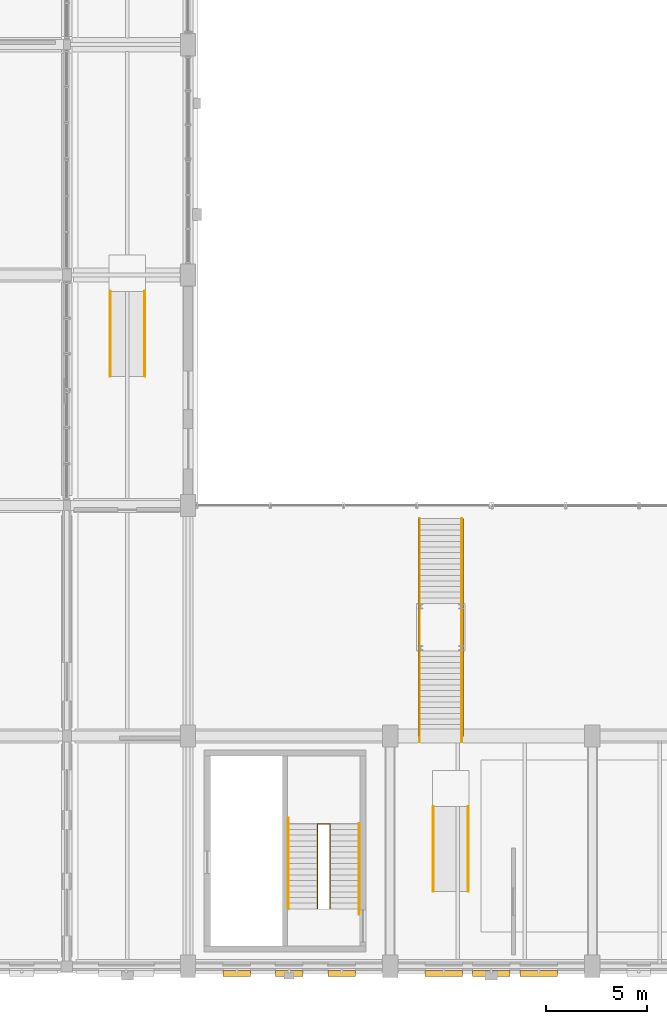
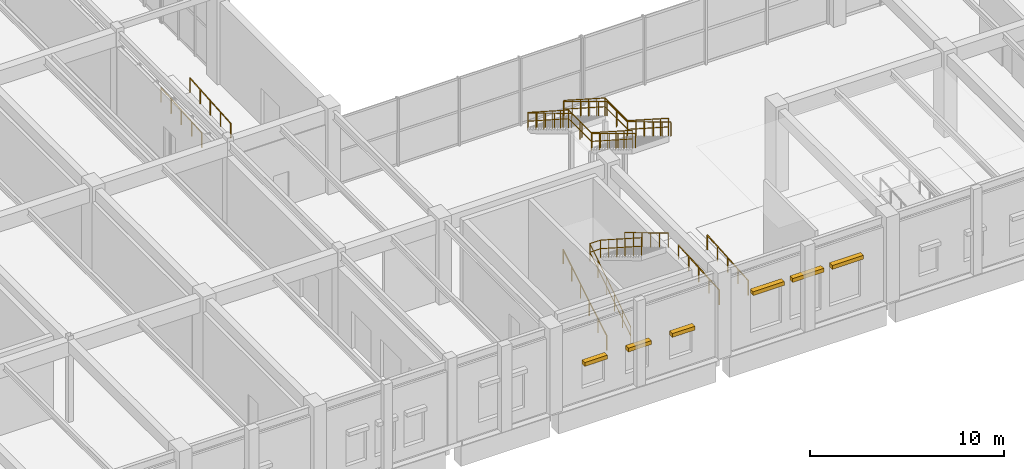
# One storey, part 107 of 113: 11 railings, 6 shading devices.
"""IFC4 building model written with IfcOpenShell, lengths in metres."""

from ifc_helpers import new_model, si_unit, direction, frame, origin, origin_2d, place, context, subcontext, project, spatial, rectangle, circle, extrude, material, layer, layer_set, type_object, element, save


model = new_model("IFC4")

# Units and contexts
model_context = context("Model", 3, precision=1e-05, world=origin(), true_north=direction((0.0, 1.0)))
body_context = subcontext(model_context, "Body", "Model", "MODEL_VIEW")
ifc_project = project(units=[si_unit("LENGTHUNIT", "METRE"), si_unit("AREAUNIT", "SQUARE_METRE"), si_unit("VOLUMEUNIT", "CUBIC_METRE"), si_unit("PLANEANGLEUNIT", "RADIAN"), si_unit("MASSUNIT", "GRAM", prefix="KILO"), si_unit("POWERUNIT", "WATT"), si_unit("THERMODYNAMICTEMPERATUREUNIT", "KELVIN")], contexts=[model_context])

# Site, building, storey
site_placement = place(None, origin())
site = spatial("IfcSite", under=ifc_project, at=site_placement, CompositionType="ELEMENT")
building_placement = place(site_placement, origin())
building = spatial("IfcBuilding", under=site, at=building_placement, Name="Kelmbourne Parkland Aquatics Centre", CompositionType="ELEMENT")
storey_placement = place(building_placement, origin())
storey = spatial("IfcBuildingStorey", under=building, at=storey_placement, Name="L00", CompositionType="ELEMENT", Elevation=0.0)

# Railings
ifc_material_1 = material(Name="Grade 316 stainless steel and laminated glass balustrade", Category="glass")
ifc_layer = layer(ifc_material_1, 0.06005859375)
ifc_layer_set = layer_set([ifc_layer], Name="Grade 316 stainless steel and laminated glass balustrade")
railing_type_1 = type_object("IfcRailingType", Name="RL-BL-114", PredefinedType="BALUSTRADE", material=ifc_layer_set)
railing_1_placement = place(storey_placement, frame((57.419921875, 22.949951171875, 0.0)))
element("IfcRailing", 1, at=railing_1_placement, inside=storey, type_object=railing_type_1, Name="FS01 west balustrade", PredefinedType="BALUSTRADE", context=body_context, shape_type="SweptSolid", body=[
    extrude(circle(Radius=0.02392578125, at=origin_2d()), frame((0.0, 0.0, 1.11572265625), z_axis=(0.0, -0.841180064094, 0.540755119968), x_axis=(1.0, 0.0, 0.0)), (0.0, 0.0, 1.0), 4.992919921875),
    extrude(circle(Radius=0.02392578125, at=origin_2d()), frame((0.0, 0.0, 0.56982421875), z_axis=(0.0, -0.841180064094, 0.540755119968), x_axis=(1.0, 0.0, 0.0)), (0.0, 0.0, 1.0), 4.992919921875),
    extrude(circle(Radius=0.02392578125, at=origin_2d()), frame((0.0, -4.199951171875, 3.81591796875), z_axis=(0.0, -1.0, 0.0), x_axis=(1.0, 0.0, 0.0)), (0.0, 0.0, 1.0), 2.35009765625),
    extrude(circle(Radius=0.02392578125, at=origin_2d()), frame((0.0, -4.199951171875, 3.27001953125), z_axis=(0.0, -1.0, 0.0), x_axis=(1.0, 0.0, 0.0)), (0.0, 0.0, 1.0), 2.35009765625),
    extrude(circle(Radius=0.02392578125, at=origin_2d()), frame((0.0, -6.550048828125, 3.81591796875), z_axis=(0.0, -0.841180064094, 0.540755119968), x_axis=(1.0, 0.0, 0.0)), (0.0, 0.0, 1.0), 4.992919921875),
    extrude(circle(Radius=0.02392578125, at=origin_2d()), frame((0.0, -6.550048828125, 3.27001953125), z_axis=(0.0, -0.841180064094, 0.540755119968), x_axis=(1.0, 0.0, 0.0)), (0.0, 0.0, 1.0), 4.992919921875),
    extrude(circle(Radius=0.02099609375, at=origin_2d()), origin(), (0.0, 0.0, 1.0), 1.091796875),
    extrude(circle(Radius=0.02099609375, at=origin_2d()), frame((0.0, -0.840087890625, 0.5400390625)), (0.0, 0.0, 1.0), 1.091796875),
    extrude(circle(Radius=0.02099609375, at=origin_2d()), frame((0.0, -1.679931640625, 1.080078125)), (0.0, 0.0, 1.0), 1.091796875),
    extrude(circle(Radius=0.02099609375, at=origin_2d()), frame((0.0, -2.52001953125, 1.619873046875)), (0.0, 0.0, 1.0), 1.091796875),
    extrude(circle(Radius=0.02099609375, at=origin_2d()), frame((0.0, -3.35986328125, 2.159912109375)), (0.0, 0.0, 1.0), 1.091796875),
    extrude(circle(Radius=0.02099609375, at=origin_2d()), frame((0.0, -4.199951171875, 2.699951171875)), (0.0, 0.0, 1.0), 1.091796875),
    extrude(circle(Radius=0.02099609375, at=origin_2d()), frame((0.0, -5.375, 2.699951171875)), (0.0, 0.0, 1.0), 1.091796875),
    extrude(circle(Radius=0.02099609375, at=origin_2d()), frame((0.0, -6.550048828125, 2.699951171875)), (0.0, 0.0, 1.0), 1.091796875),
    extrude(circle(Radius=0.02099609375, at=origin_2d()), frame((0.0, -7.39013671875, 3.239990234375)), (0.0, 0.0, 1.0), 1.091796875),
    extrude(circle(Radius=0.02099609375, at=origin_2d()), frame((0.0, -8.22998046875, 3.780029296875)), (0.0, 0.0, 1.0), 1.091796875),
    extrude(circle(Radius=0.02099609375, at=origin_2d()), frame((0.0, -9.070068359375, 4.31982421875)), (0.0, 0.0, 1.0), 1.091796875),
    extrude(circle(Radius=0.02099609375, at=origin_2d()), frame((0.0, -9.909912109375, 4.85986328125)), (0.0, 0.0, 1.0), 1.091796875),
    extrude(circle(Radius=0.02099609375, at=origin_2d()), frame((0.0, -10.75, 5.39990234375)), (0.0, 0.0, 1.0), 1.091796875),
])
railing_2_placement = place(storey_placement, frame((59.580078125, 22.949951171875, 0.0)))
element("IfcRailing", 2, at=railing_2_placement, inside=storey, type_object=railing_type_1, Name="FS01 east balustrade", PredefinedType="BALUSTRADE", context=body_context, shape_type="SweptSolid", body=[
    extrude(circle(Radius=0.02392578125, at=origin_2d()), frame((0.0, 0.0, 1.11572265625), z_axis=(0.0, -0.841180064094, 0.540755119968), x_axis=(1.0, 0.0, 0.0)), (0.0, 0.0, 1.0), 4.992919921875),
    extrude(circle(Radius=0.02392578125, at=origin_2d()), frame((0.0, 0.0, 0.56982421875), z_axis=(0.0, -0.841180064094, 0.540755119968), x_axis=(1.0, 0.0, 0.0)), (0.0, 0.0, 1.0), 4.992919921875),
    extrude(circle(Radius=0.02392578125, at=origin_2d()), frame((0.0, -4.199951171875, 3.81591796875), z_axis=(0.0, -1.0, 0.0), x_axis=(1.0, 0.0, 0.0)), (0.0, 0.0, 1.0), 2.35009765625),
    extrude(circle(Radius=0.02392578125, at=origin_2d()), frame((0.0, -4.199951171875, 3.27001953125), z_axis=(0.0, -1.0, 0.0), x_axis=(1.0, 0.0, 0.0)), (0.0, 0.0, 1.0), 2.35009765625),
    extrude(circle(Radius=0.02392578125, at=origin_2d()), frame((0.0, -6.550048828125, 3.81591796875), z_axis=(0.0, -0.841180064094, 0.540755119968), x_axis=(1.0, 0.0, 0.0)), (0.0, 0.0, 1.0), 4.992919921875),
    extrude(circle(Radius=0.02392578125, at=origin_2d()), frame((0.0, -6.550048828125, 3.27001953125), z_axis=(0.0, -0.841180064094, 0.540755119968), x_axis=(1.0, 0.0, 0.0)), (0.0, 0.0, 1.0), 4.992919921875),
    extrude(circle(Radius=0.02099609375, at=origin_2d()), origin(), (0.0, 0.0, 1.0), 1.091796875),
    extrude(circle(Radius=0.02099609375, at=origin_2d()), frame((0.0, -0.840087890625, 0.5400390625)), (0.0, 0.0, 1.0), 1.091796875),
    extrude(circle(Radius=0.02099609375, at=origin_2d()), frame((0.0, -1.679931640625, 1.080078125)), (0.0, 0.0, 1.0), 1.091796875),
    extrude(circle(Radius=0.02099609375, at=origin_2d()), frame((0.0, -2.52001953125, 1.619873046875)), (0.0, 0.0, 1.0), 1.091796875),
    extrude(circle(Radius=0.02099609375, at=origin_2d()), frame((0.0, -3.35986328125, 2.159912109375)), (0.0, 0.0, 1.0), 1.091796875),
    extrude(circle(Radius=0.02099609375, at=origin_2d()), frame((0.0, -4.199951171875, 2.699951171875)), (0.0, 0.0, 1.0), 1.091796875),
    extrude(circle(Radius=0.02099609375, at=origin_2d()), frame((0.0, -5.375, 2.699951171875)), (0.0, 0.0, 1.0), 1.091796875),
    extrude(circle(Radius=0.02099609375, at=origin_2d()), frame((0.0, -6.550048828125, 2.699951171875)), (0.0, 0.0, 1.0), 1.091796875),
    extrude(circle(Radius=0.02099609375, at=origin_2d()), frame((0.0, -7.39013671875, 3.239990234375)), (0.0, 0.0, 1.0), 1.091796875),
    extrude(circle(Radius=0.02099609375, at=origin_2d()), frame((0.0, -8.22998046875, 3.780029296875)), (0.0, 0.0, 1.0), 1.091796875),
    extrude(circle(Radius=0.02099609375, at=origin_2d()), frame((0.0, -9.070068359375, 4.31982421875)), (0.0, 0.0, 1.0), 1.091796875),
    extrude(circle(Radius=0.02099609375, at=origin_2d()), frame((0.0, -9.909912109375, 4.85986328125)), (0.0, 0.0, 1.0), 1.091796875),
    extrude(circle(Radius=0.02099609375, at=origin_2d()), frame((0.0, -10.75, 5.39990234375)), (0.0, 0.0, 1.0), 1.091796875),
])
ifc_material_2 = material(Name="Grade 316 marine stainless steel", Category="steel")
railing_type_2 = type_object("IfcRailingType", Name="RL-GD-112", PredefinedType="GUARDRAIL", material=ifc_material_2)
railing_3_placement = place(storey_placement, frame((52.39501953125, 3.64990234375, 0.0)))
element("IfcRailing", 3, at=railing_3_placement, inside=storey, type_object=railing_type_2, Name="South Entrance Foyer Gallery Core Stair ST03 well guardrail", PredefinedType="GUARDRAIL", context=body_context, shape_type="SweptSolid", body=[
    extrude(circle(Radius=0.02392578125, at=origin_2d()), frame((0.0, 0.0, 1.09619140625), z_axis=(0.0, 0.841194361566, 0.540732878665), x_axis=(-1.0, 0.0, 0.0)), (0.0, 0.0, 1.0), 4.9931640625),
    extrude(circle(Radius=0.02392578125, at=origin_2d()), frame((0.0, 0.0, 0.56005859375), z_axis=(0.0, 0.841194361566, 0.540732878665), x_axis=(-1.0, 0.0, 0.0)), (0.0, 0.0, 1.0), 4.9931640625),
    extrude(circle(Radius=0.02392578125, at=origin_2d()), frame((0.0, 4.2001953125, 3.7958984375), z_axis=(1.0, 0.0, 0.0), x_axis=(0.0, 1.0, 0.0)), (0.0, 0.0, 1.0), 0.635009765625),
    extrude(circle(Radius=0.02392578125, at=origin_2d()), frame((0.0, 4.2001953125, 3.260009765625), z_axis=(1.0, 0.0, 0.0), x_axis=(0.0, 1.0, 0.0)), (0.0, 0.0, 1.0), 0.635009765625),
    extrude(circle(Radius=0.02392578125, at=origin_2d()), frame((0.635009765625, 4.2001953125, 3.7958984375), z_axis=(0.0, -0.841194361566, 0.540732878665), x_axis=(1.0, 0.0, 0.0)), (0.0, 0.0, 1.0), 4.9931640625),
    extrude(circle(Radius=0.02392578125, at=origin_2d()), frame((0.635009765625, 4.2001953125, 3.260009765625), z_axis=(0.0, -0.841194361566, 0.540732878665), x_axis=(1.0, 0.0, 0.0)), (0.0, 0.0, 1.0), 4.9931640625),
    extrude(circle(Radius=0.02099609375, at=origin_2d()), origin(), (0.0, 0.0, 1.0), 1.072021484375),
    extrude(circle(Radius=0.02099609375, at=origin_2d()), frame((0.0, 0.840087890625, 0.5400390625)), (0.0, 0.0, 1.0), 1.072021484375),
    extrude(circle(Radius=0.02099609375, at=origin_2d()), frame((0.0, 1.68017578125, 1.080078125)), (0.0, 0.0, 1.0), 1.072021484375),
    extrude(circle(Radius=0.02099609375, at=origin_2d()), frame((0.0, 2.52001953125, 1.619873046875)), (0.0, 0.0, 1.0), 1.072021484375),
    extrude(circle(Radius=0.02099609375, at=origin_2d()), frame((0.0, 3.360107421875, 2.159912109375)), (0.0, 0.0, 1.0), 1.072021484375),
    extrude(circle(Radius=0.02099609375, at=origin_2d()), frame((0.0, 4.2001953125, 2.699951171875)), (0.0, 0.0, 1.0), 1.072021484375),
    extrude(circle(Radius=0.02099609375, at=origin_2d()), frame((0.635009765625, 4.2001953125, 2.699951171875)), (0.0, 0.0, 1.0), 1.072021484375),
    extrude(circle(Radius=0.02099609375, at=origin_2d()), frame((0.635009765625, 3.360107421875, 3.239990234375)), (0.0, 0.0, 1.0), 1.072021484375),
    extrude(circle(Radius=0.02099609375, at=origin_2d()), frame((0.635009765625, 2.52001953125, 3.780029296875)), (0.0, 0.0, 1.0), 1.072021484375),
    extrude(circle(Radius=0.02099609375, at=origin_2d()), frame((0.635009765625, 1.68017578125, 4.31982421875)), (0.0, 0.0, 1.0), 1.072021484375),
    extrude(circle(Radius=0.02099609375, at=origin_2d()), frame((0.635009765625, 0.840087890625, 4.85986328125)), (0.0, 0.0, 1.0), 1.072021484375),
    extrude(circle(Radius=0.02099609375, at=origin_2d()), frame((0.635009765625, 0.0, 5.39990234375)), (0.0, 0.0, 1.0), 1.072021484375),
])
railing_type_3 = type_object("IfcRailingType", Name="RL-HR-92", PredefinedType="HANDRAIL", material=ifc_material_2)
railing_4_placement = place(storey_placement, frame((50.965087890625, 3.64990234375, 0.168701171875)))
element("IfcRailing", 4, at=railing_4_placement, inside=storey, type_object=railing_type_3, Name="South Entrance Foyer Gallery Core Stair ST03 F1 handrail", PredefinedType="HANDRAIL", context=body_context, shape_type="SweptSolid", body=[
    extrude(circle(Radius=0.02392578125, at=origin_2d()), frame((0.0, 0.0, 0.89599609375), z_axis=(0.0, 0.856461642802, 0.516210668632), x_axis=(-1.0, 0.0, 0.0)), (0.0, 0.0, 1.0), 5.230712890625),
    extrude(circle(Radius=0.02099609375, at=origin_2d()), origin(), (0.0, 0.0, 1.0), 0.871826171875),
    extrude(circle(Radius=0.02099609375, at=origin_2d()), frame((0.0, 0.89599609375, 0.5400390625)), (0.0, 0.0, 1.0), 0.871826171875),
    extrude(circle(Radius=0.02099609375, at=origin_2d()), frame((0.0, 1.7919921875, 1.080078125)), (0.0, 0.0, 1.0), 0.871826171875),
    extrude(circle(Radius=0.02099609375, at=origin_2d()), frame((0.0, 2.68798828125, 1.6201171875)), (0.0, 0.0, 1.0), 0.871826171875),
    extrude(circle(Radius=0.02099609375, at=origin_2d()), frame((0.0, 3.583984375, 2.16015625)), (0.0, 0.0, 1.0), 0.871826171875),
    extrude(circle(Radius=0.02099609375, at=origin_2d()), frame((0.0, 4.47998046875, 2.7001953125)), (0.0, 0.0, 1.0), 0.871826171875),
])
railing_5_placement = place(storey_placement, frame((54.4599609375, 7.85009765625, 2.868896484375)))
element("IfcRailing", 5, at=railing_5_placement, inside=storey, type_object=railing_type_3, Name="South Entrance Foyer Gallery Core Stair ST03 F2 handrail", PredefinedType="HANDRAIL", context=body_context, shape_type="SweptSolid", body=[
    extrude(circle(Radius=0.02392578125, at=origin_2d()), frame((0.0, 0.0, 0.89599609375), z_axis=(0.0, -0.856482277723, 0.516176431026), x_axis=(1.0, 0.0, 0.0)), (0.0, 0.0, 1.0), 5.230712890625),
    extrude(circle(Radius=0.02099609375, at=origin_2d()), origin(), (0.0, 0.0, 1.0), 0.871826171875),
    extrude(circle(Radius=0.02099609375, at=origin_2d()), frame((0.0, -0.89599609375, 0.5400390625)), (0.0, 0.0, 1.0), 0.871826171875),
    extrude(circle(Radius=0.02099609375, at=origin_2d()), frame((0.0, -1.7919921875, 1.080078125)), (0.0, 0.0, 1.0), 0.871826171875),
    extrude(circle(Radius=0.02099609375, at=origin_2d()), frame((0.0, -2.68798828125, 1.619873046875)), (0.0, 0.0, 1.0), 0.871826171875),
    extrude(circle(Radius=0.02099609375, at=origin_2d()), frame((0.0, -3.583984375, 2.159912109375)), (0.0, 0.0, 1.0), 0.871826171875),
    extrude(circle(Radius=0.02099609375, at=origin_2d()), frame((0.0, -4.47998046875, 2.699951171875)), (0.0, 0.0, 1.0), 0.871826171875),
])
railing_6_placement = place(storey_placement, frame((57.449951171875, 22.949951171875, 0.168701171875)))
element("IfcRailing", 6, at=railing_6_placement, inside=storey, type_object=railing_type_3, Name="FS01 west handrail", PredefinedType="HANDRAIL", context=body_context, shape_type="SweptSolid", body=[
    extrude(circle(Radius=0.02392578125, at=origin_2d()), frame((0.0, 0.0, 0.89599609375), z_axis=(0.0, -0.856461642802, 0.516210668632), x_axis=(1.0, 0.0, 0.0)), (0.0, 0.0, 1.0), 5.230712890625),
    extrude(circle(Radius=0.02392578125, at=origin_2d()), frame((0.0, -4.47998046875, 3.59619140625), z_axis=(0.0, -1.0, 0.0), x_axis=(1.0, 0.0, 0.0)), (0.0, 0.0, 1.0), 2.070068359375),
    extrude(circle(Radius=0.02392578125, at=origin_2d()), frame((0.0, -6.550048828125, 3.59619140625), z_axis=(0.0, -0.856482277723, 0.516176431026), x_axis=(1.0, 0.0, 0.0)), (0.0, 0.0, 1.0), 5.230712890625),
    extrude(circle(Radius=0.02099609375, at=origin_2d()), origin(), (0.0, 0.0, 1.0), 0.871826171875),
    extrude(circle(Radius=0.02099609375, at=origin_2d()), frame((0.0, -0.89599609375, 0.5400390625)), (0.0, 0.0, 1.0), 0.871826171875),
    extrude(circle(Radius=0.02099609375, at=origin_2d()), frame((0.0, -1.7919921875, 1.080078125)), (0.0, 0.0, 1.0), 0.871826171875),
    extrude(circle(Radius=0.02099609375, at=origin_2d()), frame((0.0, -2.68798828125, 1.6201171875)), (0.0, 0.0, 1.0), 0.871826171875),
    extrude(circle(Radius=0.02099609375, at=origin_2d()), frame((0.0, -3.583984375, 2.16015625)), (0.0, 0.0, 1.0), 0.871826171875),
    extrude(circle(Radius=0.02099609375, at=origin_2d()), frame((0.0, -4.47998046875, 2.7001953125)), (0.0, 0.0, 1.0), 0.871826171875),
    extrude(circle(Radius=0.02099609375, at=origin_2d()), frame((0.0, -5.51513671875, 2.7001953125)), (0.0, 0.0, 1.0), 0.871826171875),
    extrude(circle(Radius=0.02099609375, at=origin_2d()), frame((0.0, -6.550048828125, 2.7001953125)), (0.0, 0.0, 1.0), 0.871826171875),
    extrude(circle(Radius=0.02099609375, at=origin_2d()), frame((0.0, -7.446044921875, 3.240234375)), (0.0, 0.0, 1.0), 0.871826171875),
    extrude(circle(Radius=0.02099609375, at=origin_2d()), frame((0.0, -8.342041015625, 3.7802734375)), (0.0, 0.0, 1.0), 0.871826171875),
    extrude(circle(Radius=0.02099609375, at=origin_2d()), frame((0.0, -9.238037109375, 4.320068359375)), (0.0, 0.0, 1.0), 0.871826171875),
    extrude(circle(Radius=0.02099609375, at=origin_2d()), frame((0.0, -10.134033203125, 4.860107421875)), (0.0, 0.0, 1.0), 0.871826171875),
    extrude(circle(Radius=0.02099609375, at=origin_2d()), frame((0.0, -11.030029296875, 5.400146484375)), (0.0, 0.0, 1.0), 0.871826171875),
])
railing_7_placement = place(storey_placement, frame((59.550048828125, 22.949951171875, 0.168701171875)))
element("IfcRailing", 7, at=railing_7_placement, inside=storey, type_object=railing_type_3, Name="FS01 east handrail", PredefinedType="HANDRAIL", context=body_context, shape_type="SweptSolid", body=[
    extrude(circle(Radius=0.02392578125, at=origin_2d()), frame((0.0, 0.0, 0.89599609375), z_axis=(0.0, -0.856461642802, 0.516210668632), x_axis=(1.0, 0.0, 0.0)), (0.0, 0.0, 1.0), 5.230712890625),
    extrude(circle(Radius=0.02392578125, at=origin_2d()), frame((0.0, -4.47998046875, 3.59619140625), z_axis=(0.0, -1.0, 0.0), x_axis=(1.0, 0.0, 0.0)), (0.0, 0.0, 1.0), 2.070068359375),
    extrude(circle(Radius=0.02392578125, at=origin_2d()), frame((0.0, -6.550048828125, 3.59619140625), z_axis=(0.0, -0.856482277723, 0.516176431026), x_axis=(1.0, 0.0, 0.0)), (0.0, 0.0, 1.0), 5.230712890625),
    extrude(circle(Radius=0.02099609375, at=origin_2d()), origin(), (0.0, 0.0, 1.0), 0.871826171875),
    extrude(circle(Radius=0.02099609375, at=origin_2d()), frame((0.0, -0.89599609375, 0.5400390625)), (0.0, 0.0, 1.0), 0.871826171875),
    extrude(circle(Radius=0.02099609375, at=origin_2d()), frame((0.0, -1.7919921875, 1.080078125)), (0.0, 0.0, 1.0), 0.871826171875),
    extrude(circle(Radius=0.02099609375, at=origin_2d()), frame((0.0, -2.68798828125, 1.6201171875)), (0.0, 0.0, 1.0), 0.871826171875),
    extrude(circle(Radius=0.02099609375, at=origin_2d()), frame((0.0, -3.583984375, 2.16015625)), (0.0, 0.0, 1.0), 0.871826171875),
    extrude(circle(Radius=0.02099609375, at=origin_2d()), frame((0.0, -4.47998046875, 2.7001953125)), (0.0, 0.0, 1.0), 0.871826171875),
    extrude(circle(Radius=0.02099609375, at=origin_2d()), frame((0.0, -5.51513671875, 2.7001953125)), (0.0, 0.0, 1.0), 0.871826171875),
    extrude(circle(Radius=0.02099609375, at=origin_2d()), frame((0.0, -6.550048828125, 2.7001953125)), (0.0, 0.0, 1.0), 0.871826171875),
    extrude(circle(Radius=0.02099609375, at=origin_2d()), frame((0.0, -7.446044921875, 3.240234375)), (0.0, 0.0, 1.0), 0.871826171875),
    extrude(circle(Radius=0.02099609375, at=origin_2d()), frame((0.0, -8.342041015625, 3.7802734375)), (0.0, 0.0, 1.0), 0.871826171875),
    extrude(circle(Radius=0.02099609375, at=origin_2d()), frame((0.0, -9.238037109375, 4.320068359375)), (0.0, 0.0, 1.0), 0.871826171875),
    extrude(circle(Radius=0.02099609375, at=origin_2d()), frame((0.0, -10.134033203125, 4.860107421875)), (0.0, 0.0, 1.0), 0.871826171875),
    extrude(circle(Radius=0.02099609375, at=origin_2d()), frame((0.0, -11.030029296875, 5.400146484375)), (0.0, 0.0, 1.0), 0.871826171875),
])
for number, where, name in (
    (8, (58.139892578125, 4.5, 0.0), "South Entrance Accessible Ramp West west handrail"),
    (9, (59.860107421875, 4.5, 0.0), "South Entrance Accessible Ramp West east handrail"),
    (10, (42.139892578125, 30.0, 0.0), "Colonnade West Accessible Ramp west handrail"),
    (11, (43.860107421875, 30.0, 0.0), "Colonnade West Accessible Ramp east handrail"),
):
    element("IfcRailing", number, at=place(storey_placement, frame(where)), inside=storey, type_object=railing_type_3, Name=name, PredefinedType="HANDRAIL", context=body_context, shape_type="SweptSolid", body=[
        extrude(circle(Radius=0.02392578125, at=origin_2d()), frame((0.0, 0.0, 0.89599609375), z_axis=(0.0, 0.997457816785, 0.071259411546), x_axis=(-1.0, 0.0, 0.0)), (0.0, 0.0, 1.0), 4.210693359375),
        extrude(circle(Radius=0.02099609375, at=origin_2d()), origin(), (0.0, 0.0, 1.0), 0.871826171875),
        extrude(circle(Radius=0.02099609375, at=origin_2d()), frame((0.0, 1.050048828125, 0.074951171875)), (0.0, 0.0, 1.0), 0.871826171875),
        extrude(circle(Radius=0.02099609375, at=origin_2d()), frame((0.0, 2.10009765625, 0.14990234375)), (0.0, 0.0, 1.0), 0.871826171875),
        extrude(circle(Radius=0.02099609375, at=origin_2d()), frame((0.0, 3.14990234375, 0.22509765625)), (0.0, 0.0, 1.0), 0.871826171875),
        extrude(circle(Radius=0.02099609375, at=origin_2d()), frame((0.0, 4.199951171875, 0.300048828125)), (0.0, 0.0, 1.0), 0.871826171875),
    ])

# Shading devices
ifc_material_3 = material(Name="Architectural extruded terracotta baguettes", Category="masonry")
shading_device_type = type_object("IfcShadingDeviceType", Name="SHD-JAL-1", PredefinedType="JALOUSIE", material=ifc_material_3)
for number, where, z_axis, x_axis, name in (
    (12, (48.402099609375, 0.445068359375, 2.2998046875), (0.0, 0.0, 1.0), (1.0, 0.0, 0.0), "Terracotta horizontal jalousie hood 046"),
    (13, (51.0, 0.445068359375, 2.2998046875), (0.0, 0.0, 1.0), (1.0, 0.0, 0.0), "Terracotta horizontal jalousie hood 047"),
    (14, (53.597900390625, 0.445068359375, 2.2998046875), (0.0, 0.0, 1.0), (1.0, 0.0, 0.0), "Terracotta horizontal jalousie hood 048"),
):
    element("IfcShadingDevice", number, at=place(storey_placement, frame(where, z_axis=z_axis, x_axis=x_axis)), inside=storey, type_object=shading_device_type, Name=name, PredefinedType="JALOUSIE", context=body_context, shape_type="SweptSolid", body=[
        extrude(rectangle(XDim=1.35009765625, YDim=0.300048828125, at=origin_2d()), origin(), (0.0, 0.0, 1.0), 0.239990234375),
    ])
for number, where, z_axis, x_axis, name in (
    (15, (58.652099609375, 0.445068359375, 3.25), (0.0, 0.0, 1.0), (1.0, 0.0, 0.0), "Terracotta horizontal jalousie hood 049"),
    (16, (61.0, 0.445068359375, 3.25), (0.0, 0.0, 1.0), (1.0, 0.0, 0.0), "Terracotta horizontal jalousie hood 050"),
    (17, (63.347900390625, 0.445068359375, 3.25), (0.0, 0.0, 1.0), (1.0, 0.0, 0.0), "Terracotta horizontal jalousie hood 051"),
):
    element("IfcShadingDevice", number, at=place(storey_placement, frame(where, z_axis=z_axis, x_axis=x_axis)), inside=storey, type_object=shading_device_type, Name=name, PredefinedType="JALOUSIE", context=body_context, shape_type="SweptSolid", body=[
        extrude(rectangle(XDim=1.85009765625, YDim=0.300048828125, at=origin_2d()), origin(), (0.0, 0.0, 1.0), 0.239990234375),
    ])

save(model, "model.ifc")
